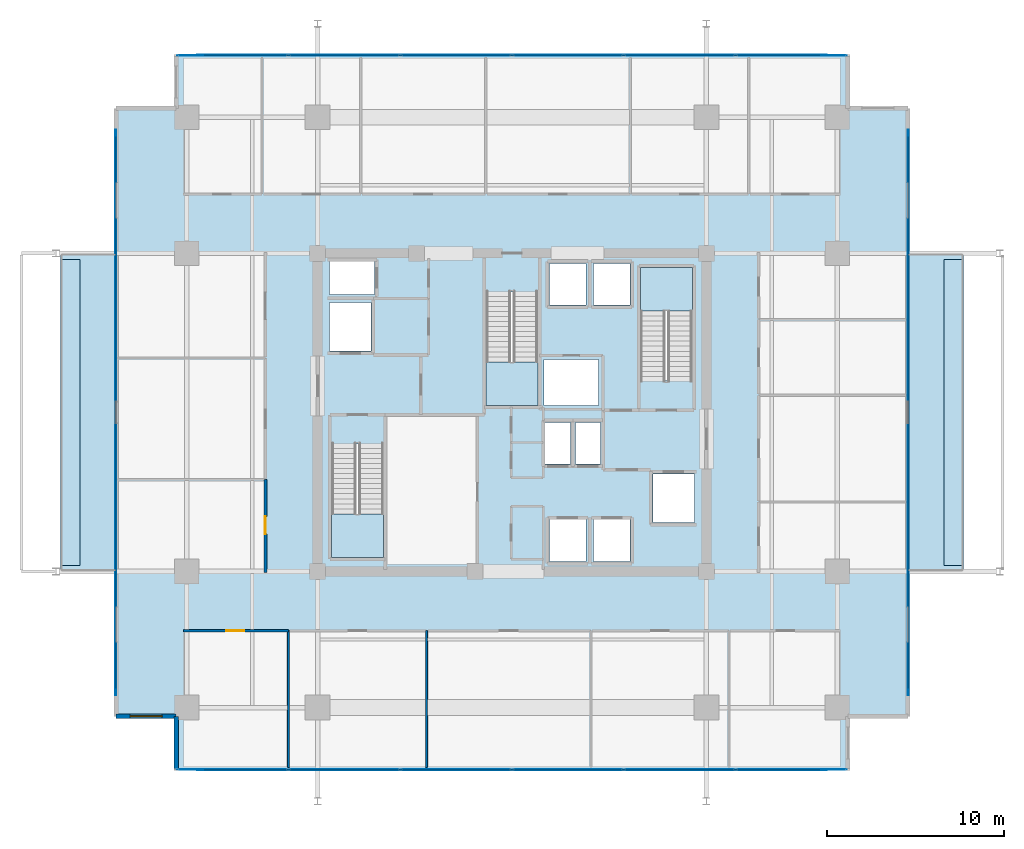
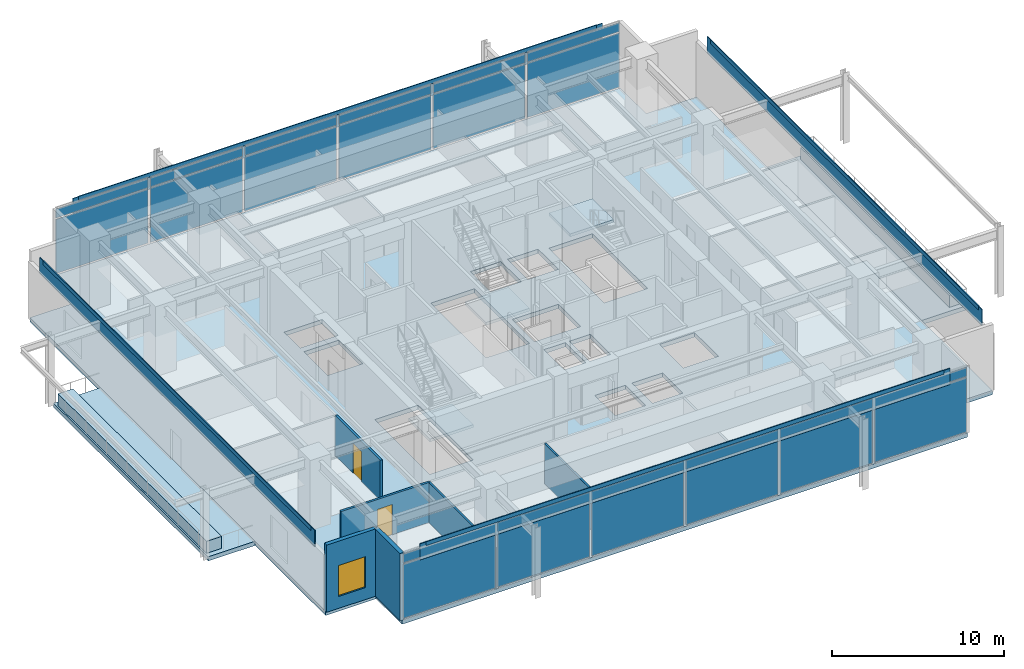
# One storey, part 11 of 19: 32 plates, 8 slabs, 6 walls, 2 doors, 1 window, 3 openings, 5 elements without a shape of their own.
"""IFC4 building model written with IfcOpenShell, lengths in metres."""

import ifcopenshell
import ifcopenshell.guid

model = None  # the IFC model being written
_history = None  # IfcOwnerHistory: only IFC2X3 demands one
_inside = {}  # id of a spatial element -> (the spatial element, [elements in it])
_under = {}  # id of a project, library or spatial element -> (it, [spatial elements below it])
_declared = {}  # id of a project -> (the project, [libraries it declares])
_typed = {}  # id of a type object -> (the type object, [elements of that type])
_made_of = {}  # id of a material, layer set ... -> (it, [elements and type objects made of it])


def new_model(schema):
    """Start an empty IFC model of exactly this schema.

    Asked for "IFC4X3", IfcOpenShell would pick the latest addendum, in which some entities
    have other attributes; the version numbers below select the first issue.
    IFC2X3 requires an IfcOwnerHistory on every rooted entity: one is made here for all.
    """
    global model, _history
    if schema == "IFC4X3":
        model = ifcopenshell.file(schema_version=(4, 3, 0, 0))
    else:
        model = ifcopenshell.file(schema=schema)
    _inside.clear()
    _under.clear()
    _declared.clear()
    _typed.clear()
    _made_of.clear()
    _history = None
    if model.schema == "IFC2X3":
        org = make("IfcOrganization", Name="unknown")
        user = make(
            "IfcPersonAndOrganization",
            ThePerson=make("IfcPerson", FamilyName="unknown"),
            TheOrganization=org,
        )
        app = make(
            "IfcApplication",
            ApplicationDeveloper=org,
            Version="unknown",
            ApplicationFullName="unknown",
            ApplicationIdentifier="unknown",
        )
        _history = make(
            "IfcOwnerHistory",
            OwningUser=user,
            OwningApplication=app,
            ChangeAction="ADDED",
            CreationDate=0,
        )
    return model


def make(cls, **values):
    """One entity of the class cls with the attributes given. An attribute that is None is left unset."""
    return model.create_entity(
        cls, **{name: value for name, value in values.items() if value is not None}
    )


def rooted(cls, **values):
    """An entity with a GlobalId (a new one), such as an element, a storey or a relation."""
    return make(cls, GlobalId=ifcopenshell.guid.new(), OwnerHistory=_history, **values)


def si_unit(unit_type, name, prefix=None):
    """IfcSIUnit, for example si_unit("LENGTHUNIT", "METRE", prefix="MILLI")."""
    return make("IfcSIUnit", UnitType=unit_type, Prefix=prefix, Name=name)


def assignment(units):
    """IfcUnitAssignment: the units of a project."""
    return None if units is None else make("IfcUnitAssignment", Units=units)


def point(xyz):
    """IfcCartesianPoint."""
    return None if xyz is None else make("IfcCartesianPoint", Coordinates=xyz)


def direction(xyz):
    """IfcDirection."""
    return None if xyz is None else make("IfcDirection", DirectionRatios=xyz)


def frame(location, z_axis=None, x_axis=None):
    """IfcAxis2Placement3D, a coordinate frame: its origin and axes. An axis left out is left unset."""
    return make(
        "IfcAxis2Placement3D",
        Location=point(location),
        Axis=direction(z_axis),
        RefDirection=direction(x_axis),
    )


def frame_2d(location, x_axis=None):
    """IfcAxis2Placement2D, a coordinate frame in the plane: its origin and x axis."""
    return make(
        "IfcAxis2Placement2D", Location=point(location), RefDirection=direction(x_axis)
    )


def origin():
    """The frame at (0, 0, 0) with its axes left unset."""
    return frame((0.0, 0.0, 0.0))


def origin_2d():
    """The frame at (0, 0) in the plane with its x axis left unset."""
    return frame_2d((0.0, 0.0))


def place(relative_to, where):
    """IfcLocalPlacement: puts the frame where relative to a parent placement (None: the world)."""
    return make(
        "IfcLocalPlacement", PlacementRelTo=relative_to, RelativePlacement=where
    )


def context(
    kind, dimensions, precision=None, world=None, true_north=None, identifier=None
):
    """IfcGeometricRepresentationContext, for example the 3D "Model" context."""
    return make(
        "IfcGeometricRepresentationContext",
        ContextIdentifier=identifier,
        ContextType=kind,
        CoordinateSpaceDimension=dimensions,
        Precision=precision,
        WorldCoordinateSystem=world,
        TrueNorth=true_north,
    )


def subcontext(parent, identifier, kind, view, scale=None):
    """IfcGeometricRepresentationSubContext, for example "Body" below "Model"."""
    return make(
        "IfcGeometricRepresentationSubContext",
        ContextIdentifier=identifier,
        ContextType=kind,
        ParentContext=parent,
        TargetScale=scale,
        TargetView=view,
    )


def project(units=None, contexts=None):
    """IfcProject with its units and contexts."""
    return rooted(
        "IfcProject",
        Name="project",
        RepresentationContexts=contexts,
        UnitsInContext=assignment(units),
    )


def spatial(cls, under=None, at=None, **own):
    """A site, building, storey or space (cls), placed at a placement, below another one or the project."""
    s = rooted(cls, ObjectPlacement=at, **own)
    if under is not None:
        _under.setdefault(under.id(), (under, []))[1].append(s)
    return s


def polyline(points):
    """IfcPolyline through the points."""
    return make("IfcPolyline", Points=[point(p) for p in points])


def profile(cls, at=None, kind="AREA", **sizes):
    """A parametric profile (cls). Its sizes go by their IFC names, for example OverallWidth=200.0."""
    return make(cls, ProfileType=kind, Position=at, **sizes)


def rectangle(**sizes):
    """IfcRectangleProfileDef."""
    return profile("IfcRectangleProfileDef", **sizes)


def outline(outer, holes=None, kind="AREA"):
    """IfcArbitraryClosedProfileDef: a profile drawn as a closed curve; with holes, ...WithVoids."""
    if holes is None:
        return make("IfcArbitraryClosedProfileDef", ProfileType=kind, OuterCurve=outer)
    return make(
        "IfcArbitraryProfileDefWithVoids",
        ProfileType=kind,
        OuterCurve=outer,
        InnerCurves=holes,
    )


def extrude(swept, where, along, depth):
    """IfcExtrudedAreaSolid: the profile swept, set in the frame where, extruded along a direction by depth."""
    return make(
        "IfcExtrudedAreaSolid",
        SweptArea=swept,
        Position=where,
        ExtrudedDirection=direction(along),
        Depth=depth,
    )


def shape(context_of_items, identifier, shape_type, items):
    """IfcShapeRepresentation: the items that make up one representation, for example the "Body"."""
    return make(
        "IfcShapeRepresentation",
        ContextOfItems=context_of_items,
        RepresentationIdentifier=identifier,
        RepresentationType=shape_type,
        Items=items,
    )


def material(Name=None, Category=None):
    """IfcMaterial."""
    return make("IfcMaterial", Name=Name, Category=Category)


def layer(
    of_material, thickness, ventilated=None, Name=None, Category=None, Priority=None
):
    """IfcMaterialLayer: one layer of a wall or slab, of a material (None: an air gap)."""
    return make(
        "IfcMaterialLayer",
        Material=of_material,
        LayerThickness=thickness,
        IsVentilated=ventilated,
        Name=Name,
        Category=Category,
        Priority=Priority,
    )


def layer_set(layers, Name=None):
    """IfcMaterialLayerSet."""
    return make("IfcMaterialLayerSet", MaterialLayers=layers, LayerSetName=Name)


def made_of(thing, what):
    """Note that an element or type object is made of a material, layer set ...; save() writes the relation."""
    if what is not None:
        _made_of.setdefault(what.id(), (what, []))[1].append(thing)
    return thing


def type_object(cls, material=None, **own):
    """A type object (cls), such as IfcWallType, which elements share."""
    return made_of(rooted(cls, **own), material)


def element(
    cls,
    number,
    at=None,
    inside=None,
    cuts=None,
    type_object=None,
    material=None,
    context=None,
    identifier="Body",
    shape_type=None,
    held_by="IfcProductDefinitionShape",
    body=None,
    shapes=None,
    **own,
):
    """One element of the class cls, such as IfcWall. Its Tag is "e" and its number.

    at: its placement. inside: the storey or other place that contains it. cuts: it is an
    opening in that element (IfcRelVoidsElement). A single representation is given by context,
    identifier, shape_type and body (its items); several are given by shapes. held_by: the class
    of the entity that holds the representations. save() writes the other relations.
    """
    e = rooted(cls, Tag="e%d" % number, ObjectPlacement=at, **own)
    if body is not None:
        shapes = [shape(context, identifier, shape_type, body)]
    if shapes is not None:
        e.Representation = make(held_by, Representations=shapes)
    if inside is not None:
        _inside.setdefault(inside.id(), (inside, []))[1].append(e)
    if cuts is not None:
        rooted(
            "IfcRelVoidsElement", RelatingBuildingElement=cuts, RelatedOpeningElement=e
        )
    if type_object is not None:
        _typed.setdefault(type_object.id(), (type_object, []))[1].append(e)
    return made_of(e, material)


def fill(opening, filler):
    """IfcRelFillsElement: the door or window that sits in an opening."""
    return rooted(
        "IfcRelFillsElement",
        RelatingOpeningElement=opening,
        RelatedBuildingElement=filler,
    )


def aggregate(whole, parts):
    """IfcRelAggregates: a whole, such as a stair, and the parts it consists of."""
    return rooted("IfcRelAggregates", RelatingObject=whole, RelatedObjects=parts)


def save(model, path):
    """Write the relations noted so far, then the file.

    IfcRelAggregates (storeys below a building ...), IfcRelContainedInSpatialStructure (elements
    in a storey), IfcRelDefinesByType, IfcRelAssociatesMaterial and IfcRelDeclares: one each for
    every whole, place, type object, material and project.
    """
    for whole, parts in _under.values():
        aggregate(whole, parts)
    for where, things in _inside.values():
        rooted(
            "IfcRelContainedInSpatialStructure",
            RelatedElements=things,
            RelatingStructure=where,
        )
    for kind, things in _typed.values():
        rooted("IfcRelDefinesByType", RelatedObjects=things, RelatingType=kind)
    for what, things in _made_of.values():
        rooted("IfcRelAssociatesMaterial", RelatedObjects=things, RelatingMaterial=what)
    for by, libraries in _declared.values():
        rooted("IfcRelDeclares", RelatingContext=by, RelatedDefinitions=libraries)
    model.write(path)


model = new_model("IFC4")

# Units and contexts
model_context = context("Model", 3, precision=1e-05, world=origin(), true_north=direction((0.0, 1.0)))
body_context = subcontext(model_context, "Body", "Model", "MODEL_VIEW")
ifc_project = project(units=[si_unit("LENGTHUNIT", "METRE"), si_unit("AREAUNIT", "SQUARE_METRE"), si_unit("VOLUMEUNIT", "CUBIC_METRE"), si_unit("PLANEANGLEUNIT", "RADIAN"), si_unit("MASSUNIT", "GRAM", prefix="KILO")], contexts=[model_context])

# Site, building, storey
site_placement = place(None, origin())
site = spatial("IfcSite", under=ifc_project, at=site_placement, CompositionType="ELEMENT")
building_placement = place(site_placement, origin())
building = spatial("IfcBuilding", under=site, at=building_placement, Name="Kovane Verandah Tower", CompositionType="ELEMENT")
storey_placement = place(building_placement, frame((0.0, 0.0, 200.199951171875)))
storey = spatial("IfcBuildingStorey", under=building, at=storey_placement, Name="L46", CompositionType="ELEMENT", Elevation=200.199951171875)

# Curtain wall, plates
ifc_material_1 = material(Name="Champagne Anodised Aluminium Frame with Low-E Clear Laminated Glass", Category="aluminium")
curtain_wall_type = type_object("IfcCurtainWallType", Name="CW-SYS-04-WAIST", PredefinedType="NOTDEFINED", material=ifc_material_1)
curtain_wall_1_placement = place(storey_placement, origin())
curtain_wall_1 = element("IfcCurtainWall", 1, at=curtain_wall_1_placement, inside=storey, type_object=curtain_wall_type, Name="L46 S Unitised Curtain Wall", PredefinedType="NOTDEFINED")
ifc_material_2 = material(Name="Pale Champagne Anodised Aluminium Insulated Spandrel", Category="aluminium")
ifc_layer_1 = layer(ifc_material_2, 0.0400390625)
ifc_layer_set_1 = layer_set([ifc_layer_1], Name="Pale Champagne Anodised Aluminium Insulated Spandrel")
plate_type_1 = type_object("IfcPlateType", Name="PL-CW-SPD-40", PredefinedType="SHEET", material=ifc_layer_set_1)
plate_1_placement = place(storey_placement, frame((24.166748046875, 7.300048828125, 4.044921875), z_axis=(0.0, 0.0, 1.0), x_axis=(1.0, 0.0, 0.0)))
plate_1 = element("IfcPlate", 2, at=plate_1_placement, type_object=plate_type_1, Name="L46 S Unitised Curtain Wall Spandrel Panel 1", PredefinedType="SHEET", context=body_context, shape_type="SweptSolid", body=[
    extrude(rectangle(XDim=6.193359375, YDim=0.0400390625, at=origin_2d()), origin(), (0.0, 0.0, 1.0), 0.639892578125),
])
plate_2_placement = place(storey_placement, frame((30.5, 7.300048828125, 4.044921875), z_axis=(0.0, 0.0, 1.0), x_axis=(1.0, 0.0, 0.0)))
plate_2 = element("IfcPlate", 3, at=plate_2_placement, type_object=plate_type_1, Name="L46 S Unitised Curtain Wall Spandrel Panel 2", PredefinedType="SHEET", context=body_context, shape_type="SweptSolid", body=[
    extrude(rectangle(XDim=6.193359375, YDim=0.0400390625, at=origin_2d()), origin(), (0.0, 0.0, 1.0), 0.639892578125),
])
plate_3_placement = place(storey_placement, frame((36.833251953125, 7.300048828125, 4.044921875), z_axis=(0.0, 0.0, 1.0), x_axis=(1.0, 0.0, 0.0)))
plate_3 = element("IfcPlate", 4, at=plate_3_placement, type_object=plate_type_1, Name="L46 S Unitised Curtain Wall Spandrel Panel 3", PredefinedType="SHEET", context=body_context, shape_type="SweptSolid", body=[
    extrude(rectangle(XDim=6.193359375, YDim=0.0400390625, at=origin_2d()), origin(), (0.0, 0.0, 1.0), 0.639892578125),
])
plate_4_placement = place(storey_placement, frame((43.166748046875, 7.300048828125, 4.044921875), z_axis=(0.0, 0.0, 1.0), x_axis=(1.0, 0.0, 0.0)))
plate_4 = element("IfcPlate", 5, at=plate_4_placement, type_object=plate_type_1, Name="L46 S Unitised Curtain Wall Spandrel Panel 4", PredefinedType="SHEET", context=body_context, shape_type="SweptSolid", body=[
    extrude(rectangle(XDim=6.193359375, YDim=0.0400390625, at=origin_2d()), origin(), (0.0, 0.0, 1.0), 0.639892578125),
])
plate_5_placement = place(storey_placement, frame((49.5, 7.300048828125, 4.044921875), z_axis=(0.0, 0.0, 1.0), x_axis=(1.0, 0.0, 0.0)))
plate_5 = element("IfcPlate", 6, at=plate_5_placement, type_object=plate_type_1, Name="L46 S Unitised Curtain Wall Spandrel Panel 5", PredefinedType="SHEET", context=body_context, shape_type="SweptSolid", body=[
    extrude(rectangle(XDim=6.193359375, YDim=0.0400390625, at=origin_2d()), origin(), (0.0, 0.0, 1.0), 0.639892578125),
])
plate_6_placement = place(storey_placement, frame((55.833251953125, 7.300048828125, 4.044921875), z_axis=(0.0, 0.0, 1.0), x_axis=(1.0, 0.0, 0.0)))
plate_6 = element("IfcPlate", 7, at=plate_6_placement, type_object=plate_type_1, Name="L46 S Unitised Curtain Wall Spandrel Panel 6", PredefinedType="SHEET", context=body_context, shape_type="SweptSolid", body=[
    extrude(rectangle(XDim=6.193359375, YDim=0.0400390625, at=origin_2d()), origin(), (0.0, 0.0, 1.0), 0.639892578125),
])

curtain_wall_2_placement = place(storey_placement, origin())
curtain_wall_2 = element("IfcCurtainWall", 8, at=curtain_wall_2_placement, inside=storey, type_object=curtain_wall_type, Name="L46 N Unitised Curtain Wall", PredefinedType="NOTDEFINED")
plate_7_placement = place(storey_placement, frame((55.833251953125, 47.699951171875, 4.044921875), z_axis=(0.0, 0.0, 1.0), x_axis=(-1.0, 0.0, 0.0)))
plate_7 = element("IfcPlate", 9, at=plate_7_placement, type_object=plate_type_1, Name="L46 N Unitised Curtain Wall Spandrel Panel 1", PredefinedType="SHEET", context=body_context, shape_type="SweptSolid", body=[
    extrude(rectangle(XDim=6.193359375, YDim=0.0400390625, at=origin_2d()), origin(), (0.0, 0.0, 1.0), 0.639892578125),
])
plate_8_placement = place(storey_placement, frame((49.5, 47.699951171875, 4.044921875), z_axis=(0.0, 0.0, 1.0), x_axis=(-1.0, 0.0, 0.0)))
plate_8 = element("IfcPlate", 10, at=plate_8_placement, type_object=plate_type_1, Name="L46 N Unitised Curtain Wall Spandrel Panel 2", PredefinedType="SHEET", context=body_context, shape_type="SweptSolid", body=[
    extrude(rectangle(XDim=6.193359375, YDim=0.0400390625, at=origin_2d()), origin(), (0.0, 0.0, 1.0), 0.639892578125),
])
plate_9_placement = place(storey_placement, frame((43.166748046875, 47.699951171875, 4.044921875), z_axis=(0.0, 0.0, 1.0), x_axis=(-1.0, 0.0, 0.0)))
plate_9 = element("IfcPlate", 11, at=plate_9_placement, type_object=plate_type_1, Name="L46 N Unitised Curtain Wall Spandrel Panel 3", PredefinedType="SHEET", context=body_context, shape_type="SweptSolid", body=[
    extrude(rectangle(XDim=6.193359375, YDim=0.0400390625, at=origin_2d()), origin(), (0.0, 0.0, 1.0), 0.639892578125),
])
plate_10_placement = place(storey_placement, frame((36.833251953125, 47.699951171875, 4.044921875), z_axis=(0.0, 0.0, 1.0), x_axis=(-1.0, 0.0, 0.0)))
plate_10 = element("IfcPlate", 12, at=plate_10_placement, type_object=plate_type_1, Name="L46 N Unitised Curtain Wall Spandrel Panel 4", PredefinedType="SHEET", context=body_context, shape_type="SweptSolid", body=[
    extrude(rectangle(XDim=6.193359375, YDim=0.0400390625, at=origin_2d()), origin(), (0.0, 0.0, 1.0), 0.639892578125),
])
plate_11_placement = place(storey_placement, frame((30.5, 47.699951171875, 4.044921875), z_axis=(0.0, 0.0, 1.0), x_axis=(-1.0, 0.0, 0.0)))
plate_11 = element("IfcPlate", 13, at=plate_11_placement, type_object=plate_type_1, Name="L46 N Unitised Curtain Wall Spandrel Panel 5", PredefinedType="SHEET", context=body_context, shape_type="SweptSolid", body=[
    extrude(rectangle(XDim=6.193359375, YDim=0.0400390625, at=origin_2d()), origin(), (0.0, 0.0, 1.0), 0.639892578125),
])
plate_12_placement = place(storey_placement, frame((24.166748046875, 47.699951171875, 4.044921875), z_axis=(0.0, 0.0, 1.0), x_axis=(-1.0, 0.0, 0.0)))
plate_12 = element("IfcPlate", 14, at=plate_12_placement, type_object=plate_type_1, Name="L46 N Unitised Curtain Wall Spandrel Panel 6", PredefinedType="SHEET", context=body_context, shape_type="SweptSolid", body=[
    extrude(rectangle(XDim=6.193359375, YDim=0.0400390625, at=origin_2d()), origin(), (0.0, 0.0, 1.0), 0.639892578125),
])

# Plate
ifc_material_3 = material(Name="Clear Low-E Laminated Double Glazing", Category="glass")
ifc_layer_2 = layer(ifc_material_3, 0.031982421875)
ifc_layer_set_2 = layer_set([ifc_layer_2], Name="Clear Low-E Laminated Double Glazing")
plate_type_2 = type_object("IfcPlateType", Name="PL-CW-VIS-32", PredefinedType="CURTAIN_PANEL", material=ifc_layer_set_2)
plate_13_placement = place(storey_placement, frame((24.166748046875, 7.300048828125, 0.10009765625), z_axis=(0.0, 0.0, 1.0), x_axis=(1.0, 0.0, 0.0)))
plate_13 = element("IfcPlate", 15, at=plate_13_placement, type_object=plate_type_2, Name="L46 S Unitised Curtain Wall Vision Panel 1", PredefinedType="CURTAIN_PANEL", context=body_context, shape_type="SweptSolid", body=[
    extrude(rectangle(XDim=6.193359375, YDim=0.031982421875, at=origin_2d()), origin(), (0.0, 0.0, 1.0), 3.844970703125),
])

plate_14_placement = place(storey_placement, frame((30.5, 7.300048828125, 0.10009765625), z_axis=(0.0, 0.0, 1.0), x_axis=(1.0, 0.0, 0.0)))
plate_14 = element("IfcPlate", 16, at=plate_14_placement, type_object=plate_type_2, Name="L46 S Unitised Curtain Wall Vision Panel 2", PredefinedType="CURTAIN_PANEL", context=body_context, shape_type="SweptSolid", body=[
    extrude(rectangle(XDim=6.193359375, YDim=0.031982421875, at=origin_2d()), origin(), (0.0, 0.0, 1.0), 3.844970703125),
])

plate_15_placement = place(storey_placement, frame((36.833251953125, 7.300048828125, 0.10009765625), z_axis=(0.0, 0.0, 1.0), x_axis=(1.0, 0.0, 0.0)))
plate_15 = element("IfcPlate", 17, at=plate_15_placement, type_object=plate_type_2, Name="L46 S Unitised Curtain Wall Vision Panel 3", PredefinedType="CURTAIN_PANEL", context=body_context, shape_type="SweptSolid", body=[
    extrude(rectangle(XDim=6.193359375, YDim=0.031982421875, at=origin_2d()), origin(), (0.0, 0.0, 1.0), 3.844970703125),
])

plate_16_placement = place(storey_placement, frame((43.166748046875, 7.300048828125, 0.10009765625), z_axis=(0.0, 0.0, 1.0), x_axis=(1.0, 0.0, 0.0)))
plate_16 = element("IfcPlate", 18, at=plate_16_placement, type_object=plate_type_2, Name="L46 S Unitised Curtain Wall Vision Panel 4", PredefinedType="CURTAIN_PANEL", context=body_context, shape_type="SweptSolid", body=[
    extrude(rectangle(XDim=6.193359375, YDim=0.031982421875, at=origin_2d()), origin(), (0.0, 0.0, 1.0), 3.844970703125),
])

plate_17_placement = place(storey_placement, frame((49.5, 7.300048828125, 0.10009765625), z_axis=(0.0, 0.0, 1.0), x_axis=(1.0, 0.0, 0.0)))
plate_17 = element("IfcPlate", 19, at=plate_17_placement, type_object=plate_type_2, Name="L46 S Unitised Curtain Wall Vision Panel 5", PredefinedType="CURTAIN_PANEL", context=body_context, shape_type="SweptSolid", body=[
    extrude(rectangle(XDim=6.193359375, YDim=0.031982421875, at=origin_2d()), origin(), (0.0, 0.0, 1.0), 3.844970703125),
])

plate_18_placement = place(storey_placement, frame((55.833251953125, 7.300048828125, 0.10009765625), z_axis=(0.0, 0.0, 1.0), x_axis=(1.0, 0.0, 0.0)))
plate_18 = element("IfcPlate", 20, at=plate_18_placement, type_object=plate_type_2, Name="L46 S Unitised Curtain Wall Vision Panel 6", PredefinedType="CURTAIN_PANEL", context=body_context, shape_type="SweptSolid", body=[
    extrude(rectangle(XDim=6.193359375, YDim=0.031982421875, at=origin_2d()), origin(), (0.0, 0.0, 1.0), 3.844970703125),
])

aggregate(curtain_wall_1, [plate_13, plate_1, plate_14, plate_2, plate_15, plate_3, plate_16, plate_4, plate_17, plate_5, plate_18, plate_6])

plate_19_placement = place(storey_placement, frame((55.833251953125, 47.699951171875, 0.10009765625), z_axis=(0.0, 0.0, 1.0), x_axis=(-1.0, 0.0, 0.0)))
plate_19 = element("IfcPlate", 21, at=plate_19_placement, type_object=plate_type_2, Name="L46 N Unitised Curtain Wall Vision Panel 1", PredefinedType="CURTAIN_PANEL", context=body_context, shape_type="SweptSolid", body=[
    extrude(rectangle(XDim=6.193359375, YDim=0.031982421875, at=origin_2d()), origin(), (0.0, 0.0, 1.0), 3.844970703125),
])

plate_20_placement = place(storey_placement, frame((49.5, 47.699951171875, 0.10009765625), z_axis=(0.0, 0.0, 1.0), x_axis=(-1.0, 0.0, 0.0)))
plate_20 = element("IfcPlate", 22, at=plate_20_placement, type_object=plate_type_2, Name="L46 N Unitised Curtain Wall Vision Panel 2", PredefinedType="CURTAIN_PANEL", context=body_context, shape_type="SweptSolid", body=[
    extrude(rectangle(XDim=6.193359375, YDim=0.031982421875, at=origin_2d()), origin(), (0.0, 0.0, 1.0), 3.844970703125),
])

plate_21_placement = place(storey_placement, frame((43.166748046875, 47.699951171875, 0.10009765625), z_axis=(0.0, 0.0, 1.0), x_axis=(-1.0, 0.0, 0.0)))
plate_21 = element("IfcPlate", 23, at=plate_21_placement, type_object=plate_type_2, Name="L46 N Unitised Curtain Wall Vision Panel 3", PredefinedType="CURTAIN_PANEL", context=body_context, shape_type="SweptSolid", body=[
    extrude(rectangle(XDim=6.193359375, YDim=0.031982421875, at=origin_2d()), origin(), (0.0, 0.0, 1.0), 3.844970703125),
])

plate_22_placement = place(storey_placement, frame((36.833251953125, 47.699951171875, 0.10009765625), z_axis=(0.0, 0.0, 1.0), x_axis=(-1.0, 0.0, 0.0)))
plate_22 = element("IfcPlate", 24, at=plate_22_placement, type_object=plate_type_2, Name="L46 N Unitised Curtain Wall Vision Panel 4", PredefinedType="CURTAIN_PANEL", context=body_context, shape_type="SweptSolid", body=[
    extrude(rectangle(XDim=6.193359375, YDim=0.031982421875, at=origin_2d()), origin(), (0.0, 0.0, 1.0), 3.844970703125),
])

plate_23_placement = place(storey_placement, frame((30.5, 47.699951171875, 0.10009765625), z_axis=(0.0, 0.0, 1.0), x_axis=(-1.0, 0.0, 0.0)))
plate_23 = element("IfcPlate", 25, at=plate_23_placement, type_object=plate_type_2, Name="L46 N Unitised Curtain Wall Vision Panel 5", PredefinedType="CURTAIN_PANEL", context=body_context, shape_type="SweptSolid", body=[
    extrude(rectangle(XDim=6.193359375, YDim=0.031982421875, at=origin_2d()), origin(), (0.0, 0.0, 1.0), 3.844970703125),
])

plate_24_placement = place(storey_placement, frame((24.166748046875, 47.699951171875, 0.10009765625), z_axis=(0.0, 0.0, 1.0), x_axis=(-1.0, 0.0, 0.0)))
plate_24 = element("IfcPlate", 26, at=plate_24_placement, type_object=plate_type_2, Name="L46 N Unitised Curtain Wall Vision Panel 6", PredefinedType="CURTAIN_PANEL", context=body_context, shape_type="SweptSolid", body=[
    extrude(rectangle(XDim=6.193359375, YDim=0.031982421875, at=origin_2d()), origin(), (0.0, 0.0, 1.0), 3.844970703125),
])

aggregate(curtain_wall_2, [plate_19, plate_7, plate_20, plate_8, plate_21, plate_9, plate_22, plate_10, plate_23, plate_11, plate_24, plate_12])

# Plates
ifc_material_4 = material(Name="Perforated Pale Champagne Anodised Aluminium Solar Screen", Category="aluminium")
ifc_layer_3 = layer(ifc_material_4, 0.050048828125)
ifc_layer_set_3 = layer_set([ifc_layer_3], Name="Perforated Pale Champagne Anodised Aluminium Solar Screen")
plate_type_3 = type_object("IfcPlateType", Name="PL-SCREEN-50", PredefinedType="USERDEFINED", material=ifc_layer_set_3)
plate_25_placement = place(storey_placement, frame((40.0, 7.284912109375, 3.875), z_axis=(0.0, 0.0, 1.0), x_axis=(1.0, 0.0, 0.0)))
element("IfcPlate", 27, at=plate_25_placement, inside=storey, type_object=plate_type_3, Name="L46 S Perforated Champagne-Gold Solar Screen", ObjectType="SCREEN", PredefinedType="USERDEFINED", context=body_context, shape_type="SweptSolid", body=[
    extrude(rectangle(XDim=35.60009765625, YDim=0.050048828125, at=origin_2d()), origin(), (0.0, 0.0, 1.0), 1.14990234375),
])
plate_26_placement = place(storey_placement, frame((62.4150390625, 27.5, 3.875), z_axis=(0.0, 0.0, 1.0), x_axis=(0.0, 1.0, 0.0)))
element("IfcPlate", 28, at=plate_26_placement, inside=storey, type_object=plate_type_3, Name="L46 E Perforated Champagne-Gold Solar Screen", ObjectType="SCREEN", PredefinedType="USERDEFINED", context=body_context, shape_type="SweptSolid", body=[
    extrude(rectangle(XDim=32.0, YDim=0.050048828125, at=origin_2d()), origin(), (0.0, 0.0, 1.0), 1.14990234375),
])
plate_27_placement = place(storey_placement, frame((40.0, 47.715087890625, 3.875), z_axis=(0.0, 0.0, 1.0), x_axis=(-1.0, 0.0, 0.0)))
element("IfcPlate", 29, at=plate_27_placement, inside=storey, type_object=plate_type_3, Name="L46 N Perforated Champagne-Gold Solar Screen", ObjectType="SCREEN", PredefinedType="USERDEFINED", context=body_context, shape_type="SweptSolid", body=[
    extrude(rectangle(XDim=35.60009765625, YDim=0.050048828125, at=origin_2d()), origin(), (0.0, 0.0, 1.0), 1.14990234375),
])
plate_28_placement = place(storey_placement, frame((17.5849609375, 27.5, 3.875), z_axis=(0.0, 0.0, 1.0), x_axis=(0.0, -1.0, 0.0)))
element("IfcPlate", 30, at=plate_28_placement, inside=storey, type_object=plate_type_3, Name="L46 W Perforated Champagne-Gold Solar Screen", ObjectType="SCREEN", PredefinedType="USERDEFINED", context=body_context, shape_type="SweptSolid", body=[
    extrude(rectangle(XDim=32.0, YDim=0.050048828125, at=origin_2d()), origin(), (0.0, 0.0, 1.0), 1.14990234375),
])
ifc_material_5 = material(Name="Extruded Pale-Bronze Aluminium Aerofoil Sunshade", Category="aluminium")
ifc_layer_4 = layer(ifc_material_5, 0.06005859375)
ifc_layer_set_4 = layer_set([ifc_layer_4], Name="Extruded Pale-Bronze Aluminium Aerofoil Sunshade")
plate_type_4 = type_object("IfcPlateType", Name="PL-SUNSHADE-60", PredefinedType="USERDEFINED", material=ifc_layer_set_4)
plate_29_placement = place(storey_placement, frame((40.0, 7.280029296875, 4.7548828125), z_axis=(0.0, 0.0, 1.0), x_axis=(1.0, 0.0, 0.0)))
element("IfcPlate", 31, at=plate_29_placement, inside=storey, type_object=plate_type_4, Name="L46 S Subtropical Aerofoil Sunshade", ObjectType="SUNSHADE", PredefinedType="USERDEFINED", context=body_context, shape_type="SweptSolid", body=[
    extrude(rectangle(XDim=34.800048828125, YDim=0.06005859375, at=origin_2d()), origin(), (0.0, 0.0, 1.0), 0.280029296875),
])
plate_30_placement = place(storey_placement, frame((62.419921875, 27.5, 4.7548828125), z_axis=(0.0, 0.0, 1.0), x_axis=(0.0, 1.0, 0.0)))
element("IfcPlate", 32, at=plate_30_placement, inside=storey, type_object=plate_type_4, Name="L46 E Subtropical Aerofoil Sunshade", ObjectType="SUNSHADE", PredefinedType="USERDEFINED", context=body_context, shape_type="SweptSolid", body=[
    extrude(rectangle(XDim=31.199951171875, YDim=0.06005859375, at=origin_2d()), origin(), (0.0, 0.0, 1.0), 0.280029296875),
])
plate_31_placement = place(storey_placement, frame((40.0, 47.719970703125, 4.7548828125), z_axis=(0.0, 0.0, 1.0), x_axis=(-1.0, 0.0, 0.0)))
element("IfcPlate", 33, at=plate_31_placement, inside=storey, type_object=plate_type_4, Name="L46 N Subtropical Aerofoil Sunshade", ObjectType="SUNSHADE", PredefinedType="USERDEFINED", context=body_context, shape_type="SweptSolid", body=[
    extrude(rectangle(XDim=34.800048828125, YDim=0.06005859375, at=origin_2d()), origin(), (0.0, 0.0, 1.0), 0.280029296875),
])
plate_32_placement = place(storey_placement, frame((17.580078125, 27.5, 4.7548828125), z_axis=(0.0, 0.0, 1.0), x_axis=(0.0, -1.0, 0.0)))
element("IfcPlate", 34, at=plate_32_placement, inside=storey, type_object=plate_type_4, Name="L46 W Subtropical Aerofoil Sunshade", ObjectType="SUNSHADE", PredefinedType="USERDEFINED", context=body_context, shape_type="SweptSolid", body=[
    extrude(rectangle(XDim=31.199951171875, YDim=0.06005859375, at=origin_2d()), origin(), (0.0, 0.0, 1.0), 0.280029296875),
])

# Slabs
ifc_material_6 = material(Name="Concrete C45/55", Category="concrete")
ifc_layer_5 = layer(ifc_material_6, 0.300048828125)
ifc_layer_set_5 = layer_set([ifc_layer_5], Name="Concrete C45/55")
slab_type_1 = type_object("IfcSlabType", Name="SL-BALC-300", PredefinedType="FLOOR", material=ifc_layer_set_5)
slab_1_placement = place(storey_placement, frame((0.0, 0.0, -0.300048828125)))
element("IfcSlab", 35, at=slab_1_placement, inside=storey, type_object=slab_type_1, Name="L46 E Planted Verandah Balcony Slab", PredefinedType="FLOOR", context=body_context, shape_type="SweptSolid", body=[
    extrude(outline(polyline([(62.39990234375, 18.5), (65.550048828125, 18.5), (65.550048828125, 36.5), (62.39990234375, 36.5), (62.39990234375, 18.5)])), origin(), (0.0, 0.0, 1.0), 0.300048828125),
])
slab_2_placement = place(storey_placement, frame((0.0, 0.0, -0.300048828125)))
element("IfcSlab", 36, at=slab_2_placement, inside=storey, type_object=slab_type_1, Name="L46 W Planted Verandah Balcony Slab", PredefinedType="FLOOR", context=body_context, shape_type="SweptSolid", body=[
    extrude(outline(polyline([(14.449951171875, 18.5), (17.60009765625, 18.5), (17.60009765625, 36.5), (14.449951171875, 36.5), (14.449951171875, 18.5)])), origin(), (0.0, 0.0, 1.0), 0.300048828125),
])
ifc_material_7 = material(Name="Concrete C60/75", Category="concrete")
ifc_layer_6 = layer(ifc_material_7, 0.300048828125)
ifc_layer_set_6 = layer_set([ifc_layer_6], Name="Concrete C60/75")
slab_type_2 = type_object("IfcSlabType", Name="SL-HVY-300", PredefinedType="FLOOR", material=ifc_layer_set_6)
slab_3_placement = place(storey_placement, frame((0.0, 0.0, -0.300048828125)))
element("IfcSlab", 37, at=slab_3_placement, inside=storey, type_object=slab_type_2, Name="L46 Structural Floor Slab", PredefinedType="FLOOR", context=body_context, shape_type="SweptSolid", body=[
    extrude(outline(polyline([(21.0, 7.300048828125), (59.0, 7.300048828125), (59.0, 10.300048828125), (62.39990234375, 10.300048828125), (62.39990234375, 44.699951171875), (59.0, 44.699951171875), (59.0, 47.699951171875), (21.0, 47.699951171875), (21.0, 44.699951171875), (17.60009765625, 44.699951171875), (17.60009765625, 10.300048828125), (21.0, 10.300048828125), (21.0, 7.300048828125)]), holes=[polyline([(29.800048828125, 19.300048828125), (32.719970703125, 19.300048828125), (32.719970703125, 25.705078125), (29.800048828125, 25.705078125), (29.800048828125, 19.300048828125)]), polyline([(47.280029296875, 29.294921875), (50.199951171875, 29.294921875), (50.199951171875, 35.699951171875), (47.280029296875, 35.699951171875), (47.280029296875, 29.294921875)]), polyline([(38.5400390625, 27.89990234375), (41.4599609375, 27.89990234375), (41.4599609375, 34.304931640625), (38.5400390625, 34.304931640625), (38.5400390625, 27.89990234375)]), polyline([(29.669921875, 30.969970703125), (32.030029296875, 30.969970703125), (32.030029296875, 33.72998046875), (29.669921875, 33.72998046875), (29.669921875, 30.969970703125)]), polyline([(47.969970703125, 21.27001953125), (50.330078125, 21.27001953125), (50.330078125, 24.030029296875), (47.969970703125, 24.030029296875), (47.969970703125, 21.27001953125)]), polyline([(29.669921875, 34.169921875), (32.22998046875, 34.169921875), (32.22998046875, 36.030029296875), (29.669921875, 36.030029296875), (29.669921875, 34.169921875)]), polyline([(42.1201171875, 19.070068359375), (44.179931640625, 19.070068359375), (44.179931640625, 21.429931640625), (42.1201171875, 21.429931640625), (42.1201171875, 19.070068359375)]), polyline([(44.6201171875, 19.070068359375), (46.679931640625, 19.070068359375), (46.679931640625, 21.429931640625), (44.6201171875, 21.429931640625), (44.6201171875, 19.070068359375)]), polyline([(41.8798828125, 24.570068359375), (43.320068359375, 24.570068359375), (43.320068359375, 26.929931640625), (41.8798828125, 26.929931640625), (41.8798828125, 24.570068359375)]), polyline([(43.580078125, 24.570068359375), (45.0, 24.570068359375), (45.0, 26.929931640625), (43.580078125, 26.929931640625), (43.580078125, 24.570068359375)]), polyline([(42.1201171875, 33.570068359375), (44.179931640625, 33.570068359375), (44.179931640625, 35.929931640625), (42.1201171875, 35.929931640625), (42.1201171875, 33.570068359375)]), polyline([(44.6201171875, 33.570068359375), (46.679931640625, 33.570068359375), (46.679931640625, 35.929931640625), (44.6201171875, 35.929931640625), (44.6201171875, 33.570068359375)]), polyline([(41.800048828125, 27.89990234375), (44.89990234375, 27.89990234375), (44.89990234375, 30.5), (41.800048828125, 30.5), (41.800048828125, 27.89990234375)])]), origin(), (0.0, 0.0, 1.0), 0.300048828125),
])

# Stair, slab
stair_type = type_object("IfcStairType", Name="ST-CORE-1380", PredefinedType="HALF_TURN_STAIR", material=ifc_material_6)
stair_1_placement = place(storey_placement, origin())
stair_1 = element("IfcStair", 38, at=stair_1_placement, inside=storey, type_object=stair_type, Name="L46 Exit Stair ST-01", PredefinedType="HALF_TURN_STAIR")
ifc_layer_7 = layer(ifc_material_6, 0.199951171875)
ifc_layer_set_7 = layer_set([ifc_layer_7], Name="Concrete C45/55")
slab_type_3 = type_object("IfcSlabType", Name="SL-LAND-200", PredefinedType="LANDING", material=ifc_layer_set_7)
slab_4_placement = place(storey_placement, frame((0.0, 0.0, 2.300048828125)))
slab_4 = element("IfcSlab", 39, at=slab_4_placement, type_object=slab_type_3, Name="ST-01 landing 1", PredefinedType="LANDING", context=body_context, shape_type="SweptSolid", body=[
    extrude(outline(polyline([(29.800048828125, 21.760009765625), (29.800048828125, 19.300048828125), (32.719970703125, 19.300048828125), (32.719970703125, 21.760009765625), (29.800048828125, 21.760009765625)])), origin(), (0.0, 0.0, 1.0), 0.199951171875),
])
aggregate(stair_1, [slab_4])

stair_2_placement = place(storey_placement, origin())
stair_2 = element("IfcStair", 40, at=stair_2_placement, inside=storey, type_object=stair_type, Name="L46 Exit Stair ST-02", PredefinedType="HALF_TURN_STAIR")
slab_5_placement = place(storey_placement, frame((0.0, 0.0, 2.300048828125)))
slab_5 = element("IfcSlab", 41, at=slab_5_placement, type_object=slab_type_3, Name="ST-02 landing 1", PredefinedType="LANDING", context=body_context, shape_type="SweptSolid", body=[
    extrude(outline(polyline([(50.199951171875, 33.239990234375), (50.199951171875, 35.699951171875), (47.280029296875, 35.699951171875), (47.280029296875, 33.239990234375), (50.199951171875, 33.239990234375)])), origin(), (0.0, 0.0, 1.0), 0.199951171875),
])
aggregate(stair_2, [slab_5])

stair_3_placement = place(storey_placement, origin())
stair_3 = element("IfcStair", 42, at=stair_3_placement, inside=storey, type_object=stair_type, Name="L46 Exit Stair ST-03", PredefinedType="HALF_TURN_STAIR")
slab_6_placement = place(storey_placement, frame((0.0, 0.0, 2.300048828125)))
slab_6 = element("IfcSlab", 43, at=slab_6_placement, type_object=slab_type_3, Name="ST-03 landing 1", PredefinedType="LANDING", context=body_context, shape_type="SweptSolid", body=[
    extrude(outline(polyline([(38.5400390625, 30.360107421875), (38.5400390625, 27.89990234375), (41.4599609375, 27.89990234375), (41.4599609375, 30.360107421875), (38.5400390625, 30.360107421875)])), origin(), (0.0, 0.0, 1.0), 0.199951171875),
])
aggregate(stair_3, [slab_6])

# Slabs
ifc_material_8 = material(Name="Architectural Precast Concrete C45/55 Planter Trough", Category="concrete")
ifc_layer_8 = layer(ifc_material_8, 0.219970703125)
ifc_layer_set_8 = layer_set([ifc_layer_8], Name="Architectural Precast Concrete C45/55 Planter Trough")
slab_type_4 = type_object("IfcSlabType", Name="SL-PLANTER-220", PredefinedType="USERDEFINED", material=ifc_layer_set_8)
slab_7_placement = place(storey_placement, origin())
element("IfcSlab", 44, at=slab_7_placement, inside=storey, type_object=slab_type_4, Name="L46 E Structural Tree Planter", ObjectType="PLANTER", PredefinedType="USERDEFINED", context=body_context, shape_type="SweptSolid", body=[
    extrude(outline(polyline([(64.449951171875, 18.85009765625), (65.449951171875, 18.85009765625), (65.449951171875, 36.14990234375), (64.449951171875, 36.14990234375), (64.449951171875, 18.85009765625)])), origin(), (0.0, 0.0, 1.0), 0.85009765625),
])
slab_8_placement = place(storey_placement, origin())
element("IfcSlab", 45, at=slab_8_placement, inside=storey, type_object=slab_type_4, Name="L46 W Structural Tree Planter", ObjectType="PLANTER", PredefinedType="USERDEFINED", context=body_context, shape_type="SweptSolid", body=[
    extrude(outline(polyline([(14.550048828125, 18.85009765625), (15.550048828125, 18.85009765625), (15.550048828125, 36.14990234375), (14.550048828125, 36.14990234375), (14.550048828125, 18.85009765625)])), origin(), (0.0, 0.0, 1.0), 0.85009765625),
])

# Wall, opening, door
ifc_material_9 = material(Name="Fire-Rated Gypsum Stud Partition", Category="gypsum")
ifc_layer_9 = layer(ifc_material_9, 0.14990234375)
ifc_layer_set_9 = layer_set([ifc_layer_9], Name="Fire-Rated Gypsum Stud Partition")
wall_type_1 = type_object("IfcWallType", Name="WL-COR-150", PredefinedType="PARTITIONING", material=ifc_layer_set_9)
wall_1_placement = place(storey_placement, frame((21.39990234375, 15.14990234375, 0.0), z_axis=(0.0, 0.0, 1.0), x_axis=(1.0, 0.0, 0.0)))
wall_1 = element("IfcWall", 46, at=wall_1_placement, inside=storey, type_object=wall_type_1, Name="L46 Meeting Room S1 Corridor Partition", PredefinedType="PARTITIONING", context=body_context, shape_type="SweptSolid", body=[
    extrude(rectangle(XDim=5.9521484375, YDim=0.14990234375, at=frame_2d((2.97607421875, 0.0))), origin(), (0.0, 0.0, 1.0), 2.85009765625),
])
opening_1_placement = place(wall_1_placement, frame((2.44091796875, 0.0, 0.0)))
opening_1 = element("IfcOpeningElement", 47, at=opening_1_placement, cuts=wall_1, Name="Opening DR-L46-024", PredefinedType="OPENING", context=body_context, shape_type="SweptSolid", body=[
    extrude(rectangle(XDim=1.0, YDim=2.14990234375, at=frame_2d((0.5, 1.074951171875))), frame((0.0, 0.074951171875, 0.0), z_axis=(0.0, -1.0, 0.0), x_axis=(1.0, 0.0, 0.0)), (0.0, 0.0, 1.0), 0.14990234375),
])
ifc_material_10 = material(Name="FSC Spotted-Gum Timber Fire-Rated Office Door", Category="wood")
door_type = type_object("IfcDoorType", Name="DR-OFF-1000", OperationType="SINGLE_SWING_LEFT", PredefinedType="DOOR", material=ifc_material_10)
door_1_placement = place(opening_1_placement, origin())
door_1 = element("IfcDoor", 48, at=door_1_placement, inside=storey, type_object=door_type, Name="L46 Meeting Room S1 Entrance Door", OperationType="SINGLE_SWING_RIGHT", OverallHeight=2.14990234375, OverallWidth=1.0, PredefinedType="DOOR", context=body_context, shape_type="SweptSolid", body=[
    extrude(rectangle(XDim=1.0, YDim=2.14990234375, at=frame_2d((0.5, 1.074951171875))), frame((0.0, 0.02490234375, 0.0), z_axis=(0.0, -1.0, 0.0), x_axis=(1.0, 0.0, 0.0)), (0.0, 0.0, 1.0), 0.050048828125),
])
fill(opening_1, door_1)

wall_2_placement = place(storey_placement, frame((26.050048828125, 18.449951171875, 0.0), z_axis=(0.0, 0.0, 1.0), x_axis=(0.0, 1.0, 0.0)))
wall_2 = element("IfcWall", 49, at=wall_2_placement, inside=storey, type_object=wall_type_1, Name="L46 Open Plan Office W1 Corridor Partition", PredefinedType="PARTITIONING", context=body_context, shape_type="SweptSolid", body=[
    extrude(rectangle(XDim=5.2490234375, YDim=0.14990234375, at=frame_2d((2.62451171875, 0.0))), origin(), (0.0, 0.0, 1.0), 2.85009765625),
])
opening_2_placement = place(wall_2_placement, frame((2.16455078125, 0.0, 0.0)))
opening_2 = element("IfcOpeningElement", 50, at=opening_2_placement, cuts=wall_2, Name="Opening DR-L46-033", PredefinedType="OPENING", context=body_context, shape_type="SweptSolid", body=[
    extrude(rectangle(XDim=1.0, YDim=2.14990234375, at=frame_2d((0.5, 1.074951171875))), frame((0.0, 0.074951171875, 0.0), z_axis=(0.0, -1.0, 0.0), x_axis=(1.0, 0.0, 0.0)), (0.0, 0.0, 1.0), 0.14990234375),
])
door_2_placement = place(opening_2_placement, origin())
door_2 = element("IfcDoor", 51, at=door_2_placement, inside=storey, type_object=door_type, Name="L46 Open Plan Office W1 Entrance Door", OperationType="SINGLE_SWING_LEFT", OverallHeight=2.14990234375, OverallWidth=1.0, PredefinedType="DOOR", context=body_context, shape_type="SweptSolid", body=[
    extrude(rectangle(XDim=1.0, YDim=2.14990234375, at=frame_2d((0.5, 1.074951171875))), frame((0.0, 0.02490234375, 0.0), z_axis=(0.0, -1.0, 0.0), x_axis=(1.0, 0.0, 0.0)), (0.0, 0.0, 1.0), 0.050048828125),
])
fill(opening_2, door_2)

# Walls
ifc_material_11 = material(Name="Acoustic Fire-Rated Gypsum Partition", Category="gypsum")
ifc_layer_10 = layer(ifc_material_11, 0.1201171875)
ifc_layer_set_10 = layer_set([ifc_layer_10], Name="Acoustic Fire-Rated Gypsum Partition")
wall_type_2 = type_object("IfcWallType", Name="WL-PART-120", PredefinedType="PARTITIONING", material=ifc_layer_set_10)
for number, where, z_axis, x_axis, name in (
    (52, (27.35205078125, 7.39990234375, 0.0), (0.0, 0.0, 1.0), (0.0, 1.0, 0.0), "L46 Meeting Room S1 Dividing Partition"),
    (53, (35.1640625, 7.39990234375, 0.0), (0.0, 0.0, 1.0), (0.0, 1.0, 0.0), "L46 Focus Studio S2 Dividing Partition"),
):
    element("IfcWall", number, at=place(storey_placement, frame(where, z_axis=z_axis, x_axis=x_axis)), inside=storey, type_object=wall_type_2, Name=name, PredefinedType="PARTITIONING", context=body_context, shape_type="SweptSolid", body=[
        extrude(rectangle(XDim=7.75, YDim=0.1201171875, at=frame_2d((3.875, 0.0))), origin(), (0.0, 0.0, 1.0), 2.85009765625),
    ])

# Wall, opening, window
ifc_material_12 = material(Name="Concrete C45/55 Insulated Spandrel Wall", Category="concrete")
ifc_layer_11 = layer(ifc_material_12, 0.260009765625)
ifc_layer_set_11 = layer_set([ifc_layer_11], Name="Concrete C45/55 Insulated Spandrel Wall")
wall_type_3 = type_object("IfcWallType", Name="WL-SPANDREL-260", PredefinedType="PARAPET", material=ifc_layer_set_11)
wall_3_placement = place(storey_placement, frame((17.60009765625, 10.300048828125, 0.0), z_axis=(0.0, 0.0, 1.0), x_axis=(1.0, 0.0, 0.0)))
wall_3 = element("IfcWall", 54, at=wall_3_placement, inside=storey, type_object=wall_type_3, Name="L46 SW Notch Cheek Wall 1", PredefinedType="PARAPET", context=body_context, shape_type="SweptSolid", body=[
    extrude(rectangle(XDim=3.39990234375, YDim=0.260009765625, at=frame_2d((1.699951171875, 0.0))), origin(), (0.0, 0.0, 1.0), 4.775146484375),
])
opening_3_placement = place(wall_3_placement, frame((0.800048828125, 0.0, 0.85009765625)))
opening_3 = element("IfcOpeningElement", 55, at=opening_3_placement, cuts=wall_3, Name="Opening W-03", PredefinedType="OPENING", context=body_context, shape_type="SweptSolid", body=[
    extrude(rectangle(XDim=1.800048828125, YDim=2.199951171875, at=frame_2d((0.89990234375, 1.10009765625))), frame((0.0, 0.1298828125, 0.0), z_axis=(0.0, -1.0, 0.0), x_axis=(1.0, 0.0, 0.0)), (0.0, 0.0, 1.0), 0.260009765625),
])
ifc_material_13 = material(Name="Clear Low-E Laminated Double Glazing in Anodised Frame", Category="glass")
window_type = type_object("IfcWindowType", Name="WN-NOTCH-1800x2200", PartitioningType="SINGLE_PANEL", PredefinedType="WINDOW", material=ifc_material_13)
window_placement = place(opening_3_placement, origin())
window = element("IfcWindow", 56, at=window_placement, inside=storey, type_object=window_type, Name="L46 SW Re-Entrant Corner Operable Window", OverallHeight=2.199951171875, OverallWidth=1.800048828125, PartitioningType="SINGLE_PANEL", PredefinedType="WINDOW", context=body_context, shape_type="SweptSolid", body=[
    extrude(rectangle(XDim=1.800048828125, YDim=2.199951171875, at=frame_2d((0.89990234375, 1.10009765625))), frame((0.0, 0.030029296875, 0.0), z_axis=(0.0, -1.0, 0.0), x_axis=(1.0, 0.0, 0.0)), (0.0, 0.0, 1.0), 0.06005859375),
])
fill(opening_3, window)

# Wall
wall_4_placement = place(storey_placement, frame((21.0, 10.300048828125, 0.0), z_axis=(0.0, 0.0, 1.0), x_axis=(0.0, -1.0, 0.0)))
element("IfcWall", 57, at=wall_4_placement, inside=storey, type_object=wall_type_3, Name="L46 SW Notch Cheek Wall 2", PredefinedType="PARAPET", context=body_context, shape_type="SweptSolid", body=[
    extrude(rectangle(XDim=3.0, YDim=0.260009765625, at=frame_2d((1.5, 0.0))), origin(), (0.0, 0.0, 1.0), 4.775146484375),
])

save(model, "model.ifc")
